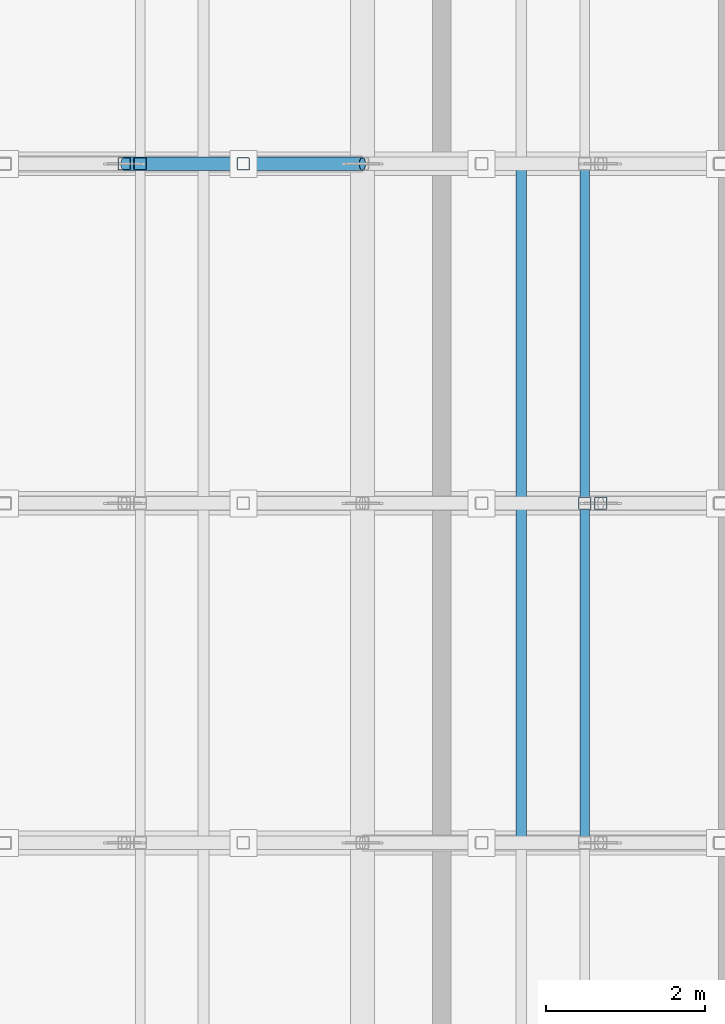
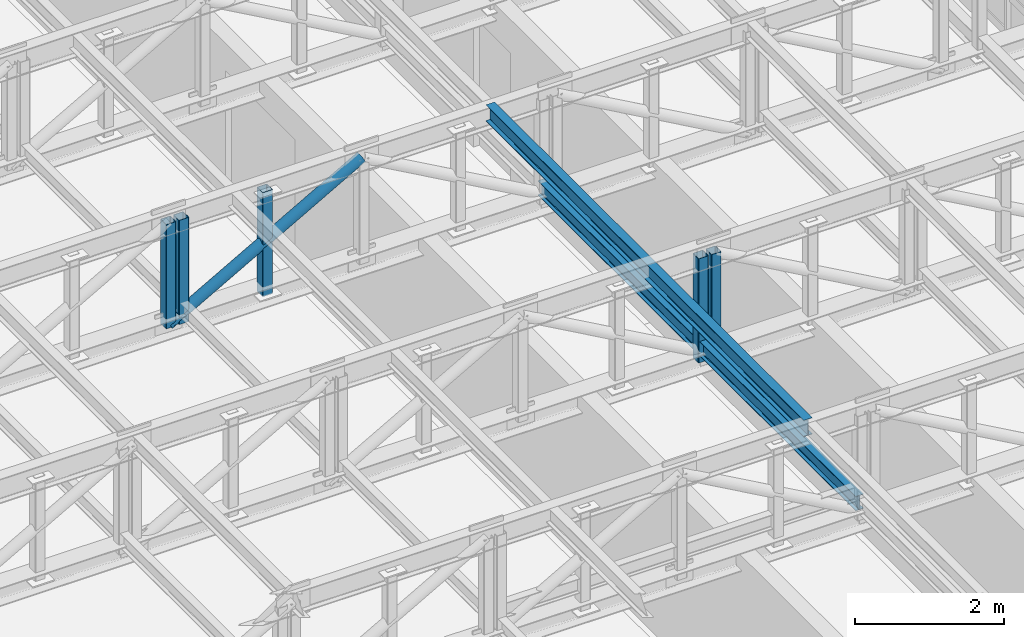
# One storey, part 39 of 128: 8 members.
"""IFC4 building model written with IfcOpenShell, lengths in metres."""

from ifc_helpers import new_model, si_unit, direction, frame, origin, origin_2d, place, context, subcontext, project, spatial, hollow_rectangle, hollow_circle, i_section, extrude, material, material_profile, profile_set, type_object, element, save


model = new_model("IFC4")

# Units and contexts
model_context = context("Model", 3, precision=1e-05, world=origin(), true_north=direction((0.0, 1.0)))
body_context = subcontext(model_context, "Body", "Model", "MODEL_VIEW")
ifc_project = project(units=[si_unit("LENGTHUNIT", "METRE"), si_unit("AREAUNIT", "SQUARE_METRE"), si_unit("VOLUMEUNIT", "CUBIC_METRE"), si_unit("PLANEANGLEUNIT", "RADIAN"), si_unit("MASSUNIT", "GRAM", prefix="KILO")], contexts=[model_context])

# Site, building, storey
site_placement = place(None, origin())
site = spatial("IfcSite", under=ifc_project, at=site_placement, CompositionType="ELEMENT")
building_placement = place(site_placement, origin())
building = spatial("IfcBuilding", under=site, at=building_placement, Name="Serraforn Aerial Cableway Station", CompositionType="ELEMENT")
storey_placement = place(building_placement, frame((0.0, 0.0, 9.0)))
storey = spatial("IfcBuildingStorey", under=building, at=storey_placement, Name="L02", CompositionType="ELEMENT", Elevation=9.0)

# Members
ifc_material_1 = material(Name="Steel S355J2", Category="steel")
ifc_material_profile_1 = material_profile(ifc_material_1, hollow_circle(Radius=0.084228515625, WallThickness=0.008056640625, at=origin_2d()), Name="CHS 168.3x8.0")
ifc_profile_set_1 = profile_set([ifc_material_profile_1], Name="Steel S355J2")
member_type_1 = type_object("IfcMemberType", Name="MEM-DG-CHS168", PredefinedType="BRACE", material=ifc_profile_set_1)
member_1_placement = place(storey_placement, frame((153.0, 71.25, 2.60009765625), z_axis=(0.871272396707, 0.0, 0.490799766439), x_axis=(0.0, 1.0, 0.0)))
element("IfcMember", 1, at=member_1_placement, inside=storey, type_object=member_type_1, Name="Garage Truss GT-05 Diagonal 4", PredefinedType="BRACE", context=body_context, shape_type="SweptSolid", body=[
    extrude(hollow_circle(Radius=0.084228515625, WallThickness=0.008056640625, at=origin_2d()), origin(), (0.0, 0.0, 1.0), 3.443359375),
])
ifc_material_2 = material(Name="Steel S355JR", Category="steel")
ifc_material_profile_2 = material_profile(ifc_material_2, i_section(OverallWidth=0.135009765625, OverallDepth=0.27001953125, WebThickness=0.006591796875, FlangeThickness=0.01025390625, FilletRadius=0.014892578125, at=origin_2d()), Name="IPE 270")
ifc_profile_set_2 = profile_set([ifc_material_profile_2], Name="Steel S355JR")
member_type_2 = type_object("IfcMemberType", Name="MEM-PR-IPE270", PredefinedType="PURLIN", material=ifc_profile_set_2)
member_2_placement = place(storey_placement, frame((158.0, 62.699951171875, 4.3349609375), z_axis=(0.0, 1.0, 0.0), x_axis=(-1.0, 0.0, 0.0)))
element("IfcMember", 2, at=member_2_placement, inside=storey, type_object=member_type_2, Name="Fleet Garage Roof Purlin 3-4", PredefinedType="PURLIN", context=body_context, shape_type="SweptSolid", body=[
    extrude(i_section(OverallWidth=0.135009765625, OverallDepth=0.27001953125, WebThickness=0.006591796875, FlangeThickness=0.01025390625, FilletRadius=0.014892578125, at=origin_2d()), origin(), (0.0, 0.0, 1.0), 8.550048828125),
])
ifc_material_profile_3 = material_profile(ifc_material_1, i_section(OverallWidth=0.1201171875, OverallDepth=0.239990234375, WebThickness=0.006103515625, FlangeThickness=0.009765625, FilletRadius=0.014892578125, at=origin_2d()), Name="IPE 240")
ifc_profile_set_3 = profile_set([ifc_material_profile_3], Name="Steel S355J2")
member_type_3 = type_object("IfcMemberType", Name="MEM-RL-IPE240", PredefinedType="USERDEFINED", material=ifc_profile_set_3)
member_3_placement = place(storey_placement, frame((158.800048828125, 62.699951171875, 2.820068359375), z_axis=(0.0, 1.0, 0.0), x_axis=(-1.0, 0.0, 0.0)))
element("IfcMember", 3, at=member_3_placement, inside=storey, type_object=member_type_3, Name="Overhead Cabin Storage Track Rail 4-2", ObjectType="OVERHEAD TRACK RAIL", PredefinedType="USERDEFINED", context=body_context, shape_type="SweptSolid", body=[
    extrude(i_section(OverallWidth=0.1201171875, OverallDepth=0.239990234375, WebThickness=0.006103515625, FlangeThickness=0.009765625, FilletRadius=0.014892578125, at=origin_2d()), origin(), (0.0, 0.0, 1.0), 8.550048828125),
])
ifc_material_profile_4 = material_profile(ifc_material_1, hollow_rectangle(XDim=0.159912109375, YDim=0.159912109375, WallThickness=0.008056640625, InnerFilletRadius=0.008056640625, OuterFilletRadius=0.01611328125, at=origin_2d()), Name="SHS 160x160x8.0")
ifc_profile_set_4 = profile_set([ifc_material_profile_4], Name="Steel S355J2")
member_type_4 = type_object("IfcMemberType", Name="MEM-VP-SHS160", PredefinedType="STRUT", material=ifc_profile_set_4)
for number, where, z_axis, x_axis, name in (
    (4, (159.0, 66.97509765625, 2.590087890625), (0.0, 0.0, 1.0), (1.0, 0.0, 0.0), "Garage Truss GT-04 Post 6"),
    (5, (153.0, 71.25, 2.590087890625), (0.0, 0.0, 1.0), (1.0, 0.0, 0.0), "Garage Truss GT-05 Post 4"),
    (6, (158.800048828125, 66.97509765625, 2.590087890625), (0.0, 0.0, 1.0), (1.0, 0.0, 0.0), "Overhead Rail Suspension Post 016"),
    (7, (153.199951171875, 71.25, 2.590087890625), (0.0, 0.0, 1.0), (1.0, 0.0, 0.0), "Overhead Rail Suspension Post 021"),
    (8, (154.5, 71.25, 2.590087890625), (0.0, 0.0, 1.0), (1.0, 0.0, 0.0), "Garage Truss GT-05 Sub-Vertical 4"),
):
    element("IfcMember", number, at=place(storey_placement, frame(where, z_axis=z_axis, x_axis=x_axis)), inside=storey, type_object=member_type_4, Name=name, PredefinedType="STRUT", context=body_context, shape_type="SweptSolid", body=[
        extrude(hollow_rectangle(XDim=0.159912109375, YDim=0.159912109375, WallThickness=0.008056640625, InnerFilletRadius=0.008056640625, OuterFilletRadius=0.01611328125, at=origin_2d()), origin(), (0.0, 0.0, 1.0), 1.7099609375),
    ])

save(model, "model.ifc")
